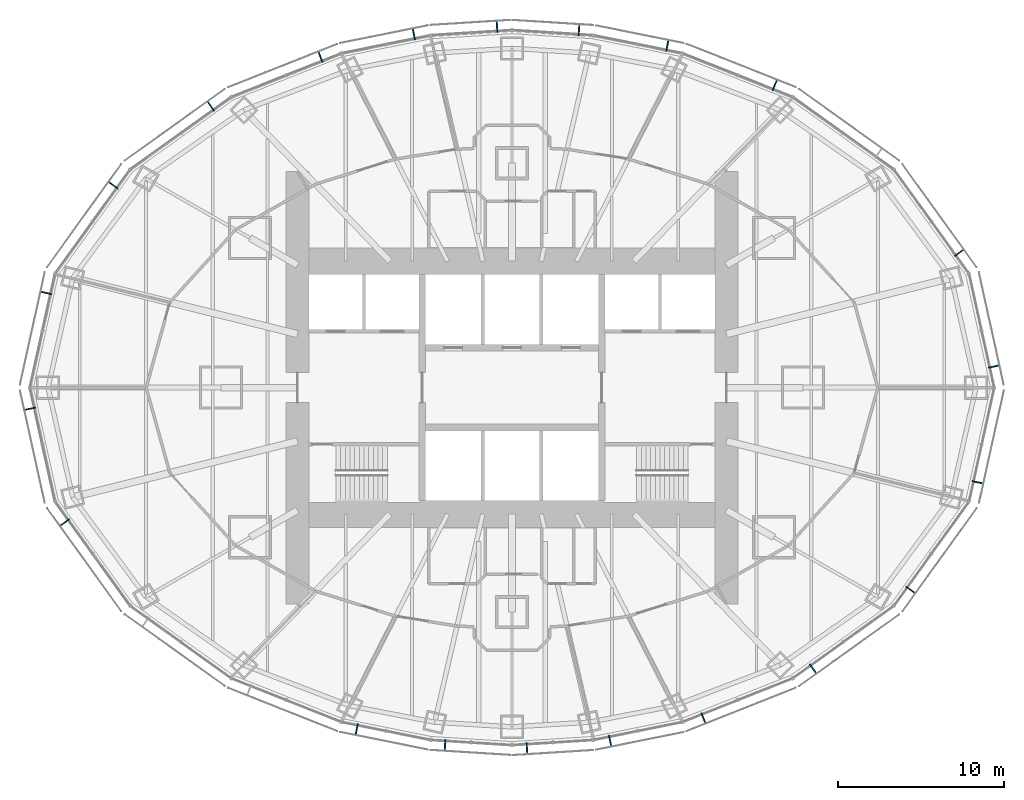
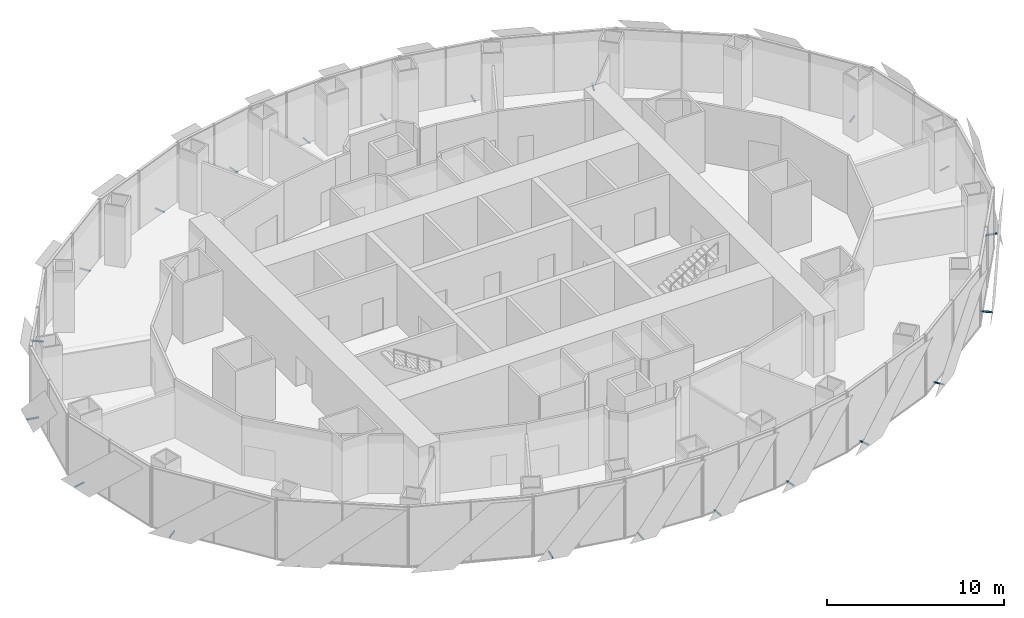
# One storey, part 14 of 18: 21 discrete accessories.
"""IFC4 building model written with IfcOpenShell, lengths in metres."""

from ifc_helpers import new_model, si_unit, direction, frame, origin, origin_2d, place, context, subcontext, project, spatial, rectangle, extrude, element, save


model = new_model("IFC4")

# Units and contexts
model_context = context("Model", 3, precision=1e-05, world=origin(), true_north=direction((0.0, 1.0)))
body_context = subcontext(model_context, "Body", "Model", "MODEL_VIEW")
ifc_project = project(units=[si_unit("LENGTHUNIT", "METRE"), si_unit("AREAUNIT", "SQUARE_METRE"), si_unit("VOLUMEUNIT", "CUBIC_METRE"), si_unit("PLANEANGLEUNIT", "RADIAN"), si_unit("MASSUNIT", "GRAM", prefix="KILO")], contexts=[model_context])

# Site, building, storey
site_placement = place(None, origin())
site = spatial("IfcSite", under=ifc_project, at=site_placement, CompositionType="ELEMENT")
building_placement = place(site_placement, origin())
building = spatial("IfcBuilding", under=site, at=building_placement, Name="Lantaw Convention Tower", CompositionType="ELEMENT")
storey_placement = place(building_placement, frame((0.0, 0.0, 167.800048828125)))
storey = spatial("IfcBuildingStorey", under=building, at=storey_placement, Name="L39", CompositionType="ELEMENT", Elevation=167.800048828125)

# Discrete accessories
for number, where, z_axis, x_axis, name in (
    (1, (28.98486328125, 1.269775390625, -0.114990234375), (0.0, 0.0, 1.0), (-0.215546166174, 0.9764936509, 0.0), "Screen bracket"),
    (2, (26.900146484375, 8.111572265625, -0.114990234375), (0.0, 0.0, 1.0), (-0.584512597221, 0.811384633629, 0.0), "Screen bracket"),
    (3, (15.802978515625, 18.18798828125, -0.114990234375), (0.0, 0.0, 1.0), (-0.929547687544, 0.368701907483, 0.0), "Screen bracket"),
    (4, (9.339599609375, 20.56005859375, -0.114990234375), (0.0, 0.0, 1.0), (-0.980301514912, 0.197506809659, 0.0), "Screen bracket"),
    (5, (4.027099609375, 21.505859375, -0.114990234375), (0.0, 0.0, 1.0), (-0.998022035978, 0.062865059466, 0.0), "Screen bracket"),
    (6, (-0.89794921875, 21.702880859375, -0.114990234375), (0.0, 0.0, 1.0), (-0.998022035978, -0.062865059466, 0.0), "Screen bracket"),
    (7, (-5.903076171875, 21.25244140625, -0.114990234375), (0.0, 0.0, 1.0), (-0.980301514912, -0.197506809659, 0.0), "Screen bracket"),
    (8, (-11.517822265625, 19.887939453125, -0.114990234375), (0.0, 0.0, 1.0), (-0.929547687544, -0.368701907483, 0.0), "Screen bracket"),
    (9, (-18.10791015625, 16.922607421875, -0.114990234375), (0.0, 0.0, 1.0), (-0.813208325995, -0.581972695693, 0.0), "Screen bracket"),
    (10, (-23.9765625, 12.169677734375, -0.114990234375), (0.0, 0.0, 1.0), (-0.584512597221, -0.811384633629, 0.0), "Screen bracket"),
    (11, (-28.008056640625, 5.6953125, -0.114990234375), (0.0, 0.0, 1.0), (-0.215546166174, -0.9764936509, 0.0), "Screen bracket"),
    (12, (-28.98486328125, -1.269775390625, -0.114990234375), (0.0, 0.0, 1.0), (0.215546166174, -0.9764936509, 0.0), "Screen bracket"),
    (13, (-26.900146484375, -8.111572265625, -0.114990234375), (0.0, 0.0, 1.0), (0.584512597221, -0.811384633629, 0.0), "Screen bracket"),
    (14, (-9.339599609375, -20.56005859375, -0.114990234375), (0.0, 0.0, 1.0), (0.980301514912, -0.197506809659, 0.0), "Screen bracket"),
    (15, (-4.027099609375, -21.505859375, -0.114990234375), (0.0, 0.0, 1.0), (0.998022035978, -0.062865059466, 0.0), "Screen bracket"),
    (16, (0.89794921875, -21.702880859375, -0.114990234375), (0.0, 0.0, 1.0), (0.998022035978, 0.062865059466, 0.0), "Screen bracket"),
    (17, (5.903076171875, -21.25244140625, -0.114990234375), (0.0, 0.0, 1.0), (0.980301514912, 0.197506809659, 0.0), "Screen bracket"),
    (18, (11.517822265625, -19.887939453125, -0.114990234375), (0.0, 0.0, 1.0), (0.929547687544, 0.368701907483, 0.0), "Screen bracket"),
    (19, (18.10791015625, -16.922607421875, -0.114990234375), (0.0, 0.0, 1.0), (0.813208325995, 0.581972695693, 0.0), "Screen bracket"),
    (20, (23.9765625, -12.169677734375, -0.114990234375), (0.0, 0.0, 1.0), (0.584512597221, 0.811384633629, 0.0), "Screen bracket"),
    (21, (28.008056640625, -5.6953125, -0.114990234375), (0.0, 0.0, 1.0), (0.215546166174, 0.9764936509, 0.0), "Screen bracket"),
):
    element("IfcDiscreteAccessory", number, at=place(storey_placement, frame(where, z_axis=z_axis, x_axis=x_axis)), inside=storey, Name=name, PredefinedType="BRACKET", context=body_context, shape_type="SweptSolid", body=[
        extrude(rectangle(XDim=0.080078125, YDim=0.68798828125, at=origin_2d()), origin(), (0.0, 0.0, 1.0), 0.080078125),
    ])

save(model, "model.ifc")
